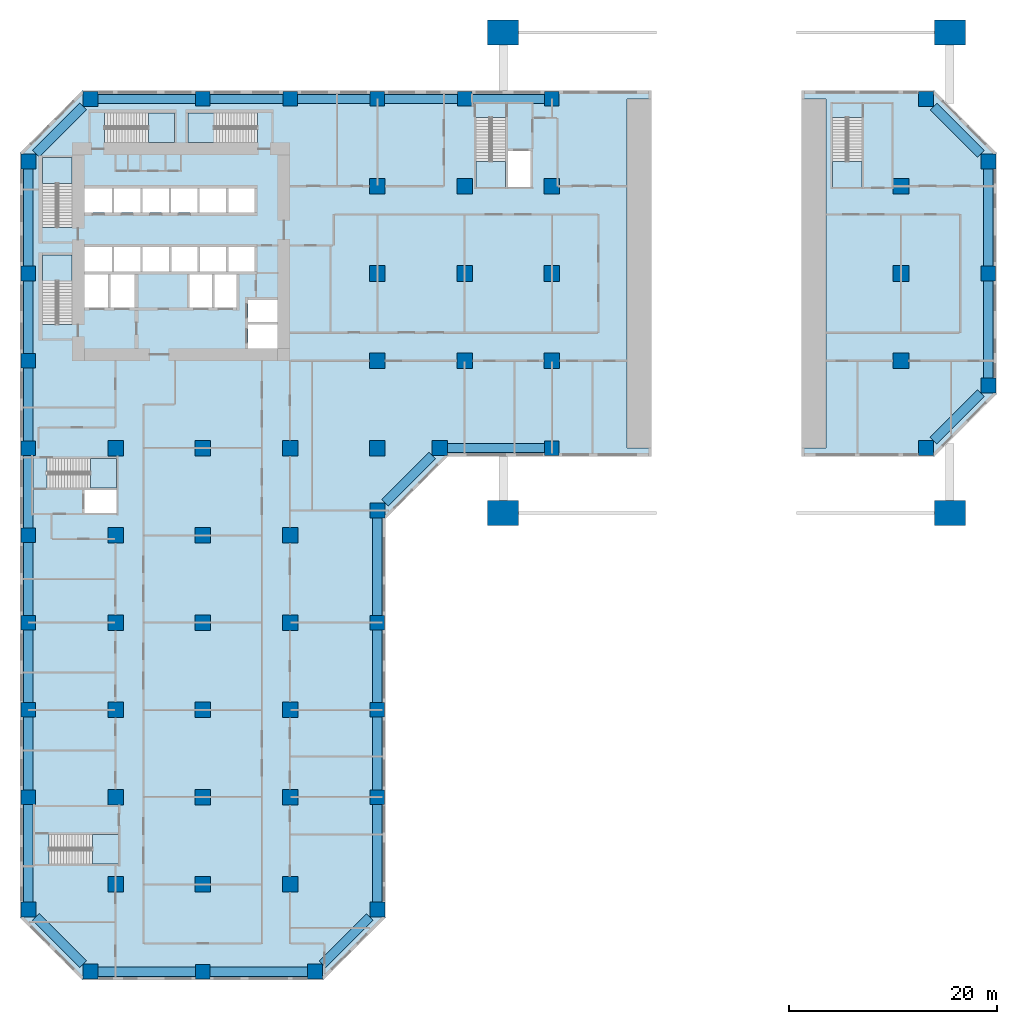
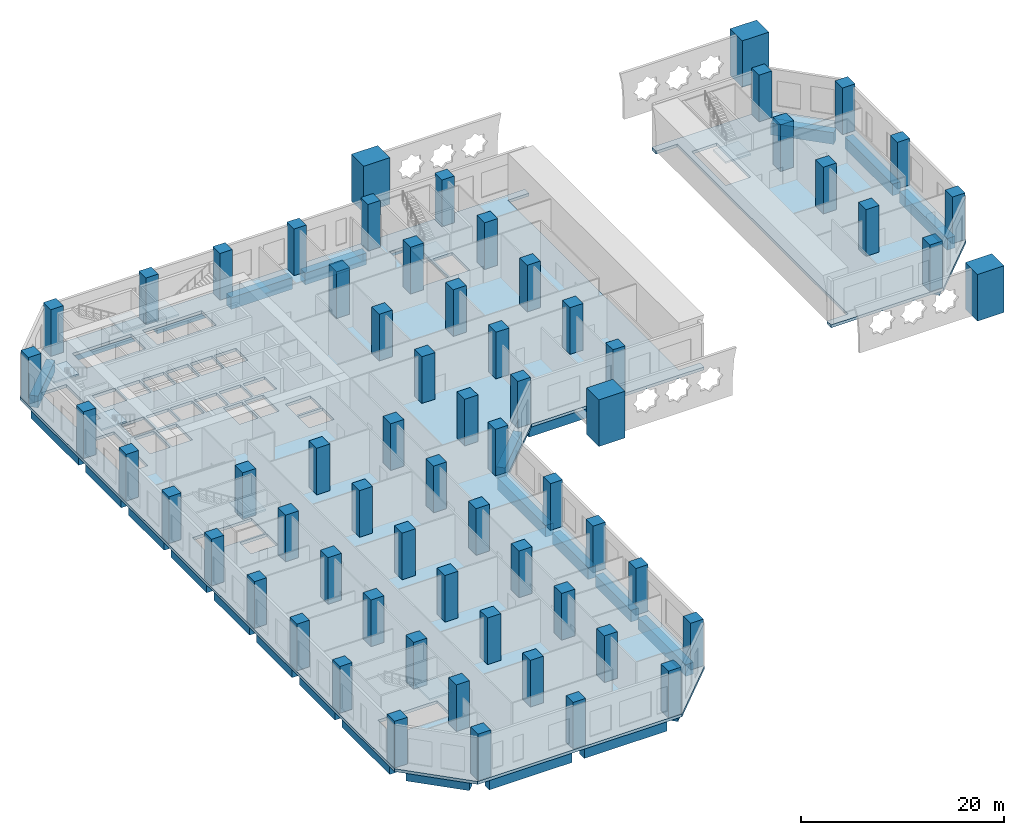
# One storey, part 1 of 17: 65 columns, 28 beams, 10 slabs, 8 elements without a shape of their own.
"""IFC4 building model written with IfcOpenShell, lengths in metres."""

from ifc_helpers import new_model, si_unit, direction, frame, origin, origin_2d, place, context, subcontext, project, spatial, polyline, rectangle, outline, extrude, material, layer, layer_set, material_profile, profile_set, type_object, element, aggregate, save


model = new_model("IFC4")

# Units and contexts
model_context = context("Model", 3, precision=1e-05, world=origin(), true_north=direction((0.0, 1.0)))
body_context = subcontext(model_context, "Body", "Model", "MODEL_VIEW")
ifc_project = project(units=[si_unit("LENGTHUNIT", "METRE"), si_unit("AREAUNIT", "SQUARE_METRE"), si_unit("VOLUMEUNIT", "CUBIC_METRE"), si_unit("PLANEANGLEUNIT", "RADIAN"), si_unit("MASSUNIT", "GRAM", prefix="KILO")], contexts=[model_context])

# Site, building, storey
site_placement = place(None, origin())
site = spatial("IfcSite", under=ifc_project, at=site_placement, CompositionType="ELEMENT")
building_placement = place(site_placement, origin())
building = spatial("IfcBuilding", under=site, at=building_placement, Name="Kawkab Arch Medical Tower", CompositionType="ELEMENT")
storey_placement = place(building_placement, frame((0.0, 0.0, 7.0)))
storey = spatial("IfcBuildingStorey", under=building, at=storey_placement, Name="L02", CompositionType="ELEMENT", Elevation=7.0)

# Columns
ifc_material_1 = material(Name="Concrete C60/75", Category="concrete")
ifc_material_profile_1 = material_profile(ifc_material_1, rectangle(XDim=1.39990234375, YDim=1.39990234375, at=origin_2d()), Name="RC 1400x1400")
ifc_profile_set_1 = profile_set([ifc_material_profile_1], Name="Concrete C60/75")
column_type_1 = type_object("IfcColumnType", Name="RC 1400x1400 column C60/75", PredefinedType="COLUMN", material=ifc_profile_set_1)
for number, where, z_axis, x_axis, name in (
    (1, (16.800048828125, 0.0, 0.0), (0.0, 0.0, 1.0), (1.0, 0.0, 0.0), "Column RC 1400x1400"),
    (2, (25.199951171875, 0.0, 0.0), (0.0, 0.0, 1.0), (1.0, 0.0, 0.0), "Column RC 1400x1400"),
    (3, (33.60009765625, 0.0, 0.0), (0.0, 0.0, 1.0), (1.0, 0.0, 0.0), "Column RC 1400x1400"),
    (4, (42.0, 0.0, 0.0), (0.0, 0.0, 1.0), (1.0, 0.0, 0.0), "Column RC 1400x1400"),
    (5, (50.39990234375, 0.0, 0.0), (0.0, 0.0, 1.0), (1.0, 0.0, 0.0), "Column RC 1400x1400"),
    (6, (0.0, -16.800048828125, 0.0), (0.0, 0.0, 1.0), (1.0, 0.0, 0.0), "Column RC 1400x1400"),
    (7, (92.39990234375, -16.800048828125, 0.0), (0.0, 0.0, 1.0), (1.0, 0.0, 0.0), "Column RC 1400x1400"),
    (8, (0.0, -25.199951171875, 0.0), (0.0, 0.0, 1.0), (1.0, 0.0, 0.0), "Column RC 1400x1400"),
    (9, (0.0, -33.60009765625, 0.0), (0.0, 0.0, 1.0), (1.0, 0.0, 0.0), "Column RC 1400x1400"),
    (10, (50.39990234375, -33.60009765625, 0.0), (0.0, 0.0, 1.0), (1.0, 0.0, 0.0), "Column RC 1400x1400"),
    (11, (0.0, -42.0, 0.0), (0.0, 0.0, 1.0), (1.0, 0.0, 0.0), "Column RC 1400x1400"),
    (12, (0.0, -50.39990234375, 0.0), (0.0, 0.0, 1.0), (1.0, 0.0, 0.0), "Column RC 1400x1400"),
    (13, (33.60009765625, -50.39990234375, 0.0), (0.0, 0.0, 1.0), (1.0, 0.0, 0.0), "Column RC 1400x1400"),
    (14, (0.0, -58.800048828125, 0.0), (0.0, 0.0, 1.0), (1.0, 0.0, 0.0), "Column RC 1400x1400"),
    (15, (33.60009765625, -58.800048828125, 0.0), (0.0, 0.0, 1.0), (1.0, 0.0, 0.0), "Column RC 1400x1400"),
    (16, (0.0, -67.199951171875, 0.0), (0.0, 0.0, 1.0), (1.0, 0.0, 0.0), "Column RC 1400x1400"),
    (17, (33.60009765625, -67.199951171875, 0.0), (0.0, 0.0, 1.0), (1.0, 0.0, 0.0), "Column RC 1400x1400"),
    (18, (16.800048828125, -84.0, 0.0), (0.0, 0.0, 1.0), (1.0, 0.0, 0.0), "Column RC 1400x1400"),
):
    element("IfcColumn", number, at=place(storey_placement, frame(where, z_axis=z_axis, x_axis=x_axis)), inside=storey, type_object=column_type_1, Name=name, PredefinedType="COLUMN", context=body_context, shape_type="SweptSolid", body=[
        extrude(rectangle(XDim=1.39990234375, YDim=1.39990234375, at=origin_2d()), origin(), (0.0, 0.0, 1.0), 5.60009765625),
    ])
ifc_material_2 = material(Name="Concrete C60/75", Category="concrete")
ifc_material_profile_2 = material_profile(ifc_material_2, rectangle(XDim=1.449951171875, YDim=1.449951171875, at=origin_2d()), Name="RC 1450x1450")
ifc_profile_set_2 = profile_set([ifc_material_profile_2], Name="Concrete C60/75")
column_type_2 = type_object("IfcColumnType", Name="RC 1450x1450 column C60/75", PredefinedType="COLUMN", material=ifc_profile_set_2)
for number, where, z_axis, x_axis, name in (
    (19, (6.0, 0.0, 0.0), (0.0, 0.0, 1.0), (1.0, 0.0, 0.0), "Column RC 1450x1450"),
    (20, (86.39990234375, 0.0, 0.0), (0.0, 0.0, 1.0), (1.0, 0.0, 0.0), "Column RC 1450x1450"),
    (21, (0.0, -6.0, 0.0), (0.0, 0.0, 1.0), (1.0, 0.0, 0.0), "Column RC 1450x1450"),
    (22, (92.39990234375, -6.0, 0.0), (0.0, 0.0, 1.0), (1.0, 0.0, 0.0), "Column RC 1450x1450"),
    (23, (92.39990234375, -27.60009765625, 0.0), (0.0, 0.0, 1.0), (1.0, 0.0, 0.0), "Column RC 1450x1450"),
    (24, (39.60009765625, -33.60009765625, 0.0), (0.0, 0.0, 1.0), (1.0, 0.0, 0.0), "Column RC 1450x1450"),
    (25, (86.39990234375, -33.60009765625, 0.0), (0.0, 0.0, 1.0), (1.0, 0.0, 0.0), "Column RC 1450x1450"),
    (26, (33.60009765625, -39.60009765625, 0.0), (0.0, 0.0, 1.0), (1.0, 0.0, 0.0), "Column RC 1450x1450"),
    (27, (0.0, -78.0, 0.0), (0.0, 0.0, 1.0), (1.0, 0.0, 0.0), "Column RC 1450x1450"),
    (28, (33.60009765625, -78.0, 0.0), (0.0, 0.0, 1.0), (1.0, 0.0, 0.0), "Column RC 1450x1450"),
    (29, (6.0, -84.0, 0.0), (0.0, 0.0, 1.0), (1.0, 0.0, 0.0), "Column RC 1450x1450"),
    (30, (27.60009765625, -84.0, 0.0), (0.0, 0.0, 1.0), (1.0, 0.0, 0.0), "Column RC 1450x1450"),
):
    element("IfcColumn", number, at=place(storey_placement, frame(where, z_axis=z_axis, x_axis=x_axis)), inside=storey, type_object=column_type_2, Name=name, PredefinedType="COLUMN", context=body_context, shape_type="SweptSolid", body=[
        extrude(rectangle(XDim=1.449951171875, YDim=1.449951171875, at=origin_2d()), origin(), (0.0, 0.0, 1.0), 5.60009765625),
    ])
ifc_material_3 = material(Name="Concrete C60/75", Category="concrete")
ifc_material_profile_3 = material_profile(ifc_material_3, rectangle(XDim=1.5, YDim=1.5, at=origin_2d()), Name="RC 1500x1500")
ifc_profile_set_3 = profile_set([ifc_material_profile_3], Name="Concrete C60/75")
column_type_3 = type_object("IfcColumnType", Name="RC 1500x1500 column C60/75", PredefinedType="COLUMN", material=ifc_profile_set_3)
for number, where, z_axis, x_axis, name in (
    (31, (33.60009765625, -8.39990234375, 0.0), (0.0, 0.0, 1.0), (1.0, 0.0, 0.0), "Column RC 1500x1500"),
    (32, (42.0, -8.39990234375, 0.0), (0.0, 0.0, 1.0), (1.0, 0.0, 0.0), "Column RC 1500x1500"),
    (33, (50.39990234375, -8.39990234375, 0.0), (0.0, 0.0, 1.0), (1.0, 0.0, 0.0), "Column RC 1500x1500"),
    (34, (84.0, -8.39990234375, 0.0), (0.0, 0.0, 1.0), (1.0, 0.0, 0.0), "Column RC 1500x1500"),
    (35, (33.60009765625, -16.800048828125, 0.0), (0.0, 0.0, 1.0), (1.0, 0.0, 0.0), "Column RC 1500x1500"),
    (36, (42.0, -16.800048828125, 0.0), (0.0, 0.0, 1.0), (1.0, 0.0, 0.0), "Column RC 1500x1500"),
    (37, (50.39990234375, -16.800048828125, 0.0), (0.0, 0.0, 1.0), (1.0, 0.0, 0.0), "Column RC 1500x1500"),
    (38, (84.0, -16.800048828125, 0.0), (0.0, 0.0, 1.0), (1.0, 0.0, 0.0), "Column RC 1500x1500"),
    (39, (33.60009765625, -25.199951171875, 0.0), (0.0, 0.0, 1.0), (1.0, 0.0, 0.0), "Column RC 1500x1500"),
    (40, (42.0, -25.199951171875, 0.0), (0.0, 0.0, 1.0), (1.0, 0.0, 0.0), "Column RC 1500x1500"),
    (41, (50.39990234375, -25.199951171875, 0.0), (0.0, 0.0, 1.0), (1.0, 0.0, 0.0), "Column RC 1500x1500"),
    (42, (84.0, -25.199951171875, 0.0), (0.0, 0.0, 1.0), (1.0, 0.0, 0.0), "Column RC 1500x1500"),
    (43, (8.39990234375, -33.60009765625, 0.0), (0.0, 0.0, 1.0), (1.0, 0.0, 0.0), "Column RC 1500x1500"),
    (44, (16.800048828125, -33.60009765625, 0.0), (0.0, 0.0, 1.0), (1.0, 0.0, 0.0), "Column RC 1500x1500"),
    (45, (25.199951171875, -33.60009765625, 0.0), (0.0, 0.0, 1.0), (1.0, 0.0, 0.0), "Column RC 1500x1500"),
    (46, (33.60009765625, -33.60009765625, 0.0), (0.0, 0.0, 1.0), (1.0, 0.0, 0.0), "Column RC 1500x1500"),
    (47, (8.39990234375, -42.0, 0.0), (0.0, 0.0, 1.0), (1.0, 0.0, 0.0), "Column RC 1500x1500"),
    (48, (16.800048828125, -42.0, 0.0), (0.0, 0.0, 1.0), (1.0, 0.0, 0.0), "Column RC 1500x1500"),
    (49, (25.199951171875, -42.0, 0.0), (0.0, 0.0, 1.0), (1.0, 0.0, 0.0), "Column RC 1500x1500"),
    (50, (8.39990234375, -50.39990234375, 0.0), (0.0, 0.0, 1.0), (1.0, 0.0, 0.0), "Column RC 1500x1500"),
    (51, (16.800048828125, -50.39990234375, 0.0), (0.0, 0.0, 1.0), (1.0, 0.0, 0.0), "Column RC 1500x1500"),
    (52, (25.199951171875, -50.39990234375, 0.0), (0.0, 0.0, 1.0), (1.0, 0.0, 0.0), "Column RC 1500x1500"),
    (53, (8.39990234375, -58.800048828125, 0.0), (0.0, 0.0, 1.0), (1.0, 0.0, 0.0), "Column RC 1500x1500"),
    (54, (16.800048828125, -58.800048828125, 0.0), (0.0, 0.0, 1.0), (1.0, 0.0, 0.0), "Column RC 1500x1500"),
    (55, (25.199951171875, -58.800048828125, 0.0), (0.0, 0.0, 1.0), (1.0, 0.0, 0.0), "Column RC 1500x1500"),
    (56, (8.39990234375, -67.199951171875, 0.0), (0.0, 0.0, 1.0), (1.0, 0.0, 0.0), "Column RC 1500x1500"),
    (57, (16.800048828125, -67.199951171875, 0.0), (0.0, 0.0, 1.0), (1.0, 0.0, 0.0), "Column RC 1500x1500"),
    (58, (25.199951171875, -67.199951171875, 0.0), (0.0, 0.0, 1.0), (1.0, 0.0, 0.0), "Column RC 1500x1500"),
    (59, (8.39990234375, -75.60009765625, 0.0), (0.0, 0.0, 1.0), (1.0, 0.0, 0.0), "Column RC 1500x1500"),
    (60, (16.800048828125, -75.60009765625, 0.0), (0.0, 0.0, 1.0), (1.0, 0.0, 0.0), "Column RC 1500x1500"),
    (61, (25.199951171875, -75.60009765625, 0.0), (0.0, 0.0, 1.0), (1.0, 0.0, 0.0), "Column RC 1500x1500"),
):
    element("IfcColumn", number, at=place(storey_placement, frame(where, z_axis=z_axis, x_axis=x_axis)), inside=storey, type_object=column_type_3, Name=name, PredefinedType="COLUMN", context=body_context, shape_type="SweptSolid", body=[
        extrude(rectangle(XDim=1.5, YDim=1.5, at=origin_2d()), origin(), (0.0, 0.0, 1.0), 5.60009765625),
    ])
ifc_material_4 = material(Name="Concrete C60/75", Category="concrete")
ifc_material_profile_4 = material_profile(ifc_material_4, rectangle(XDim=3.0, YDim=2.39990234375, at=origin_2d()), Name="RC 3000x2400")
ifc_profile_set_4 = profile_set([ifc_material_profile_4], Name="Concrete C60/75")
column_type_4 = type_object("IfcColumnType", Name="RC 3000x2400 column C60/75", PredefinedType="COLUMN", material=ifc_profile_set_4)
for number, where, z_axis, x_axis, name in (
    (62, (45.699951171875, -39.85009765625, 0.0), (0.0, 0.0, 1.0), (1.0, 0.0, 0.0), "Portal arch leg"),
    (63, (88.699951171875, -39.85009765625, 0.0), (0.0, 0.0, 1.0), (1.0, 0.0, 0.0), "Portal arch leg"),
    (64, (45.699951171875, 6.39990234375, 0.0), (0.0, 0.0, 1.0), (1.0, 0.0, 0.0), "Portal arch leg"),
    (65, (88.699951171875, 6.39990234375, 0.0), (0.0, 0.0, 1.0), (1.0, 0.0, 0.0), "Portal arch leg"),
):
    element("IfcColumn", number, at=place(storey_placement, frame(where, z_axis=z_axis, x_axis=x_axis)), inside=storey, type_object=column_type_4, Name=name, PredefinedType="COLUMN", context=body_context, shape_type="SweptSolid", body=[
        extrude(rectangle(XDim=3.0, YDim=2.39990234375, at=origin_2d()), origin(), (0.0, 0.0, 1.0), 5.60009765625),
    ])

# Beams
ifc_material_5 = material(Name="Concrete C60/75", Category="concrete")
ifc_material_profile_5 = material_profile(ifc_material_5, rectangle(XDim=0.89990234375, YDim=1.39990234375, at=origin_2d()), Name="RC 900x1400")
ifc_profile_set_5 = profile_set([ifc_material_profile_5], Name="Concrete C60/75")
beam_type = type_object("IfcBeamType", Name="RC 900x1400 beam C60/75", PredefinedType="BEAM", material=ifc_profile_set_5)
beam_1_placement = place(storey_placement, frame((0.0, -6.72509765625, -1.050048828125), z_axis=(0.0, -1.0, 0.0), x_axis=(1.0, 0.0, 0.0)))
element("IfcBeam", 66, at=beam_1_placement, inside=storey, type_object=beam_type, Name="Podium edge beam L02-01", PredefinedType="BEAM", context=body_context, shape_type="SweptSolid", body=[
    extrude(rectangle(XDim=0.89990234375, YDim=1.39990234375, at=origin_2d()), origin(), (0.0, 0.0, 1.0), 9.375),
])
for number, where, z_axis, x_axis, name in (
    (67, (0.0, -17.5, -1.050048828125), (0.0, -1.0, 0.0), (1.0, 0.0, 0.0), "Podium edge beam L02-02"),
    (68, (0.0, -25.89990234375, -1.050048828125), (0.0, -1.0, 0.0), (1.0, 0.0, 0.0), "Podium edge beam L02-03"),
    (69, (0.0, -34.300048828125, -1.050048828125), (0.0, -1.0, 0.0), (1.0, 0.0, 0.0), "Podium edge beam L02-04"),
    (70, (0.0, -42.699951171875, -1.050048828125), (0.0, -1.0, 0.0), (1.0, 0.0, 0.0), "Podium edge beam L02-05"),
    (71, (0.0, -51.10009765625, -1.050048828125), (0.0, -1.0, 0.0), (1.0, 0.0, 0.0), "Podium edge beam L02-06"),
    (72, (0.0, -59.5, -1.050048828125), (0.0, -1.0, 0.0), (1.0, 0.0, 0.0), "Podium edge beam L02-07"),
):
    element("IfcBeam", number, at=place(storey_placement, frame(where, z_axis=z_axis, x_axis=x_axis)), inside=storey, type_object=beam_type, Name=name, PredefinedType="BEAM", context=body_context, shape_type="SweptSolid", body=[
        extrude(rectangle(XDim=0.89990234375, YDim=1.39990234375, at=origin_2d()), origin(), (0.0, 0.0, 1.0), 7.0),
    ])
beam_2_placement = place(storey_placement, frame((0.0, -67.89990234375, -1.050048828125), z_axis=(0.0, -1.0, 0.0), x_axis=(1.0, 0.0, 0.0)))
element("IfcBeam", 73, at=beam_2_placement, inside=storey, type_object=beam_type, Name="Podium edge beam L02-08", PredefinedType="BEAM", context=body_context, shape_type="SweptSolid", body=[
    extrude(rectangle(XDim=0.89990234375, YDim=1.39990234375, at=origin_2d()), origin(), (0.0, 0.0, 1.0), 9.375),
])
beam_3_placement = place(storey_placement, frame((0.72509765625, -78.72509765625, -1.050048828125), z_axis=(0.707106781187, -0.707106781187, 0.0), x_axis=(0.707106781187, 0.707106781187, 0.0)))
element("IfcBeam", 74, at=beam_3_placement, inside=storey, type_object=beam_type, Name="Podium edge beam L02-09", PredefinedType="BEAM", context=body_context, shape_type="SweptSolid", body=[
    extrude(rectangle(XDim=0.89990234375, YDim=1.39990234375, at=origin_2d()), origin(), (0.0, 0.0, 1.0), 6.434326171875),
])
for number, where, z_axis, x_axis, name in (
    (75, (6.72509765625, -84.0, -1.050048828125), (1.0, 0.0, 0.0), (0.0, 1.0, 0.0), "Podium edge beam L02-10"),
    (76, (17.5, -84.0, -1.050048828125), (1.0, 0.0, 0.0), (0.0, 1.0, 0.0), "Podium edge beam L02-11"),
):
    element("IfcBeam", number, at=place(storey_placement, frame(where, z_axis=z_axis, x_axis=x_axis)), inside=storey, type_object=beam_type, Name=name, PredefinedType="BEAM", context=body_context, shape_type="SweptSolid", body=[
        extrude(rectangle(XDim=0.89990234375, YDim=1.39990234375, at=origin_2d()), origin(), (0.0, 0.0, 1.0), 9.375),
    ])
beam_4_placement = place(storey_placement, frame((28.324951171875, -83.27490234375, -1.050048828125), z_axis=(0.707125751951, 0.707087809913, 0.0), x_axis=(-0.707087809913, 0.707125751951, 0.0)))
element("IfcBeam", 77, at=beam_4_placement, inside=storey, type_object=beam_type, Name="Podium edge beam L02-12", PredefinedType="BEAM", context=body_context, shape_type="SweptSolid", body=[
    extrude(rectangle(XDim=0.89990234375, YDim=1.39990234375, at=origin_2d()), origin(), (0.0, 0.0, 1.0), 6.4345703125),
])
beam_5_placement = place(storey_placement, frame((33.60009765625, -77.27490234375, -1.050048828125), z_axis=(0.0, 1.0, 0.0), x_axis=(-1.0, 0.0, 0.0)))
element("IfcBeam", 78, at=beam_5_placement, inside=storey, type_object=beam_type, Name="Podium edge beam L02-13", PredefinedType="BEAM", context=body_context, shape_type="SweptSolid", body=[
    extrude(rectangle(XDim=0.89990234375, YDim=1.39990234375, at=origin_2d()), origin(), (0.0, 0.0, 1.0), 9.375),
])
for number, where, z_axis, x_axis, name in (
    (79, (33.60009765625, -66.5, -1.050048828125), (0.0, 1.0, 0.0), (-1.0, 0.0, 0.0), "Podium edge beam L02-14"),
    (80, (33.60009765625, -58.10009765625, -1.050048828125), (0.0, 1.0, 0.0), (-1.0, 0.0, 0.0), "Podium edge beam L02-15"),
):
    element("IfcBeam", number, at=place(storey_placement, frame(where, z_axis=z_axis, x_axis=x_axis)), inside=storey, type_object=beam_type, Name=name, PredefinedType="BEAM", context=body_context, shape_type="SweptSolid", body=[
        extrude(rectangle(XDim=0.89990234375, YDim=1.39990234375, at=origin_2d()), origin(), (0.0, 0.0, 1.0), 7.0),
    ])
beam_6_placement = place(storey_placement, frame((33.60009765625, -49.699951171875, -1.050048828125), z_axis=(0.0, 1.0, 0.0), x_axis=(-1.0, 0.0, 0.0)))
element("IfcBeam", 81, at=beam_6_placement, inside=storey, type_object=beam_type, Name="Podium edge beam L02-16", PredefinedType="BEAM", context=body_context, shape_type="SweptSolid", body=[
    extrude(rectangle(XDim=0.89990234375, YDim=1.39990234375, at=origin_2d()), origin(), (0.0, 0.0, 1.0), 9.375),
])
beam_7_placement = place(storey_placement, frame((34.324951171875, -38.875, -1.050048828125), z_axis=(0.707106781187, 0.707106781187, 0.0), x_axis=(-0.707106781187, 0.707106781187, 0.0)))
element("IfcBeam", 82, at=beam_7_placement, inside=storey, type_object=beam_type, Name="Podium edge beam L02-17", PredefinedType="BEAM", context=body_context, shape_type="SweptSolid", body=[
    extrude(rectangle(XDim=0.89990234375, YDim=1.39990234375, at=origin_2d()), origin(), (0.0, 0.0, 1.0), 6.434814453125),
])
beam_8_placement = place(storey_placement, frame((40.324951171875, -33.60009765625, -1.050048828125), z_axis=(1.0, 0.0, 0.0), x_axis=(0.0, 1.0, 0.0)))
element("IfcBeam", 83, at=beam_8_placement, inside=storey, type_object=beam_type, Name="Podium edge beam L02-18", PredefinedType="BEAM", context=body_context, shape_type="SweptSolid", body=[
    extrude(rectangle(XDim=0.89990234375, YDim=1.39990234375, at=origin_2d()), origin(), (0.0, 0.0, 1.0), 9.375),
])
beam_9_placement = place(storey_placement, frame((87.125, -32.875, -1.050048828125), z_axis=(0.707106781187, 0.707106781187, 0.0), x_axis=(-0.707106781187, 0.707106781187, 0.0)))
element("IfcBeam", 84, at=beam_9_placement, inside=storey, type_object=beam_type, Name="Podium edge beam L02-19", PredefinedType="BEAM", context=body_context, shape_type="SweptSolid", body=[
    extrude(rectangle(XDim=0.89990234375, YDim=1.39990234375, at=origin_2d()), origin(), (0.0, 0.0, 1.0), 6.434814453125),
])
for number, where, z_axis, x_axis, name in (
    (85, (92.39990234375, -26.875, -1.050048828125), (0.0, 1.0, 0.0), (-1.0, 0.0, 0.0), "Podium edge beam L02-20"),
    (86, (92.39990234375, -16.10009765625, -1.050048828125), (0.0, 1.0, 0.0), (-1.0, 0.0, 0.0), "Podium edge beam L02-21"),
):
    element("IfcBeam", number, at=place(storey_placement, frame(where, z_axis=z_axis, x_axis=x_axis)), inside=storey, type_object=beam_type, Name=name, PredefinedType="BEAM", context=body_context, shape_type="SweptSolid", body=[
        extrude(rectangle(XDim=0.89990234375, YDim=1.39990234375, at=origin_2d()), origin(), (0.0, 0.0, 1.0), 9.375),
    ])
beam_10_placement = place(storey_placement, frame((91.675048828125, -5.27490234375, -1.050048828125), z_axis=(-0.707125751951, 0.707087809913, 0.0), x_axis=(-0.707087809913, -0.707125751951, 0.0)))
element("IfcBeam", 87, at=beam_10_placement, inside=storey, type_object=beam_type, Name="Podium edge beam L02-22", PredefinedType="BEAM", context=body_context, shape_type="SweptSolid", body=[
    extrude(rectangle(XDim=0.89990234375, YDim=1.39990234375, at=origin_2d()), origin(), (0.0, 0.0, 1.0), 6.4345703125),
])
for number, where, z_axis, x_axis, name in (
    (88, (49.699951171875, 0.0, -1.050048828125), (-1.0, 0.0, 0.0), (0.0, -1.0, 0.0), "Podium edge beam L02-23"),
    (89, (41.300048828125, 0.0, -1.050048828125), (-1.0, 0.0, 0.0), (0.0, -1.0, 0.0), "Podium edge beam L02-24"),
    (90, (32.89990234375, 0.0, -1.050048828125), (-1.0, 0.0, 0.0), (0.0, -1.0, 0.0), "Podium edge beam L02-25"),
    (91, (24.5, 0.0, -1.050048828125), (-1.0, 0.0, 0.0), (0.0, -1.0, 0.0), "Podium edge beam L02-26"),
):
    element("IfcBeam", number, at=place(storey_placement, frame(where, z_axis=z_axis, x_axis=x_axis)), inside=storey, type_object=beam_type, Name=name, PredefinedType="BEAM", context=body_context, shape_type="SweptSolid", body=[
        extrude(rectangle(XDim=0.89990234375, YDim=1.39990234375, at=origin_2d()), origin(), (0.0, 0.0, 1.0), 7.0),
    ])
beam_11_placement = place(storey_placement, frame((16.10009765625, 0.0, -1.050048828125), z_axis=(-1.0, 0.0, 0.0), x_axis=(0.0, -1.0, 0.0)))
element("IfcBeam", 92, at=beam_11_placement, inside=storey, type_object=beam_type, Name="Podium edge beam L02-27", PredefinedType="BEAM", context=body_context, shape_type="SweptSolid", body=[
    extrude(rectangle(XDim=0.89990234375, YDim=1.39990234375, at=origin_2d()), origin(), (0.0, 0.0, 1.0), 9.375),
])
beam_12_placement = place(storey_placement, frame((5.27490234375, -0.72509765625, -1.050048828125), z_axis=(-0.707106781187, -0.707106781187, 0.0), x_axis=(0.707106781187, -0.707106781187, 0.0)))
element("IfcBeam", 93, at=beam_12_placement, inside=storey, type_object=beam_type, Name="Podium edge beam L02-28", PredefinedType="BEAM", context=body_context, shape_type="SweptSolid", body=[
    extrude(rectangle(XDim=0.89990234375, YDim=1.39990234375, at=origin_2d()), origin(), (0.0, 0.0, 1.0), 6.434326171875),
])

# Stair, slab
ifc_material_6 = material(Name="Concrete C40/50", Category="concrete")
stair_type = type_object("IfcStairType", Name="Exit stair 1350", PredefinedType="HALF_TURN_STAIR", material=ifc_material_6)
placement_1 = place(storey_placement, origin())
stair_1 = element("IfcStair", 94, at=placement_1, inside=storey, type_object=stair_type, Name="L02 Exit stair ST1", PredefinedType="HALF_TURN_STAIR")
ifc_material_7 = material(Name="Concrete C40/50", Category="concrete")
ifc_layer_1 = layer(ifc_material_7, 0.199951171875)
ifc_layer_set_1 = layer_set([ifc_layer_1], Name="Concrete C40/50")
slab_type_1 = type_object("IfcSlabType", Name="Exit stair landing 200", PredefinedType="LANDING", material=ifc_layer_set_1)
placement_2 = place(storey_placement, frame((0.0, 0.0, 2.60009765625)))
slab_1 = element("IfcSlab", 95, at=placement_2, type_object=slab_type_1, Name="ST1 landing 1", PredefinedType="LANDING", context=body_context, shape_type="SweptSolid", body=[
    extrude(outline(polyline([(4.199951171875, -8.14990234375), (4.199951171875, -5.64990234375), (1.35009765625, -5.64990234375), (1.35009765625, -8.14990234375), (4.199951171875, -8.14990234375)])), origin(), (0.0, 0.0, 1.0), 0.199951171875),
])
aggregate(stair_1, [slab_1])

stair_2 = element("IfcStair", 96, at=placement_1, inside=storey, type_object=stair_type, Name="L02 Exit stair ST10", PredefinedType="HALF_TURN_STAIR")
slab_2 = element("IfcSlab", 97, at=placement_2, type_object=slab_type_1, Name="ST10 landing 1", PredefinedType="LANDING", context=body_context, shape_type="SweptSolid", body=[
    extrude(outline(polyline([(6.175048828125, -73.64990234375), (8.675048828125, -73.64990234375), (8.675048828125, -70.800048828125), (6.175048828125, -70.800048828125), (6.175048828125, -73.64990234375)])), origin(), (0.0, 0.0, 1.0), 0.199951171875),
])
aggregate(stair_2, [slab_2])

stair_3 = element("IfcStair", 98, at=placement_1, inside=storey, type_object=stair_type, Name="L02 Exit stair ST2", PredefinedType="HALF_TURN_STAIR")
slab_3 = element("IfcSlab", 99, at=placement_2, type_object=slab_type_1, Name="ST2 landing 1", PredefinedType="LANDING", context=body_context, shape_type="SweptSolid", body=[
    extrude(outline(polyline([(4.199951171875, -17.5), (4.199951171875, -15.0), (1.35009765625, -15.0), (1.35009765625, -17.5), (4.199951171875, -17.5)])), origin(), (0.0, 0.0, 1.0), 0.199951171875),
])
aggregate(stair_3, [slab_3])

stair_4 = element("IfcStair", 100, at=placement_1, inside=storey, type_object=stair_type, Name="L02 Exit stair ST3", PredefinedType="HALF_TURN_STAIR")
slab_4 = element("IfcSlab", 101, at=placement_2, type_object=slab_type_1, Name="ST3 landing 1", PredefinedType="LANDING", context=body_context, shape_type="SweptSolid", body=[
    extrude(outline(polyline([(11.550048828125, -4.199951171875), (14.050048828125, -4.199951171875), (14.050048828125, -1.35009765625), (11.550048828125, -1.35009765625), (11.550048828125, -4.199951171875)])), origin(), (0.0, 0.0, 1.0), 0.199951171875),
])
aggregate(stair_4, [slab_4])

stair_5 = element("IfcStair", 102, at=placement_1, inside=storey, type_object=stair_type, Name="L02 Exit stair ST4", PredefinedType="HALF_TURN_STAIR")
slab_5 = element("IfcSlab", 103, at=placement_2, type_object=slab_type_1, Name="ST4 landing 1", PredefinedType="LANDING", context=body_context, shape_type="SweptSolid", body=[
    extrude(outline(polyline([(17.85009765625, -1.35009765625), (15.35009765625, -1.35009765625), (15.35009765625, -4.199951171875), (17.85009765625, -4.199951171875), (17.85009765625, -1.35009765625)])), origin(), (0.0, 0.0, 1.0), 0.199951171875),
])
aggregate(stair_5, [slab_5])

stair_6 = element("IfcStair", 104, at=placement_1, inside=storey, type_object=stair_type, Name="L02 Exit stair ST5", PredefinedType="HALF_TURN_STAIR")
slab_6 = element("IfcSlab", 105, at=placement_2, type_object=slab_type_1, Name="ST5 landing 1", PredefinedType="LANDING", context=body_context, shape_type="SweptSolid", body=[
    extrude(outline(polyline([(43.10009765625, -6.0), (43.10009765625, -8.5), (45.949951171875, -8.5), (45.949951171875, -6.0), (43.10009765625, -6.0)])), origin(), (0.0, 0.0, 1.0), 0.199951171875),
])
aggregate(stair_6, [slab_6])

stair_7 = element("IfcStair", 106, at=placement_1, inside=storey, type_object=stair_type, Name="L02 Exit stair ST6", PredefinedType="HALF_TURN_STAIR")
slab_7 = element("IfcSlab", 107, at=placement_2, type_object=slab_type_1, Name="ST6 landing 1", PredefinedType="LANDING", context=body_context, shape_type="SweptSolid", body=[
    extrude(outline(polyline([(6.0, -37.449951171875), (8.5, -37.449951171875), (8.5, -34.60009765625), (6.0, -34.60009765625), (6.0, -37.449951171875)])), origin(), (0.0, 0.0, 1.0), 0.199951171875),
])
aggregate(stair_7, [slab_7])

stair_8 = element("IfcStair", 108, at=placement_1, inside=storey, type_object=stair_type, Name="L02 Exit stair ST7", PredefinedType="HALF_TURN_STAIR")
slab_8 = element("IfcSlab", 109, at=placement_2, type_object=slab_type_1, Name="ST7 landing 1", PredefinedType="LANDING", context=body_context, shape_type="SweptSolid", body=[
    extrude(outline(polyline([(77.39990234375, -6.0), (77.39990234375, -8.5), (80.25, -8.5), (80.25, -6.0), (77.39990234375, -6.0)])), origin(), (0.0, 0.0, 1.0), 0.199951171875),
])
aggregate(stair_8, [slab_8])

# Slabs
ifc_material_8 = material(Name="Concrete C40/50", Category="concrete")
ifc_layer_2 = layer(ifc_material_8, 0.35009765625)
ifc_layer_set_2 = layer_set([ifc_layer_2], Name="Concrete C40/50")
slab_type_2 = type_object("IfcSlabType", Name="Flat plate 350 C40/50", PredefinedType="FLOOR", material=ifc_layer_set_2)
placement_3 = place(storey_placement, frame((0.0, 0.0, -0.35009765625)))
element("IfcSlab", 110, at=placement_3, inside=storey, type_object=slab_type_2, Name="Floor slab L02", PredefinedType="FLOOR", context=body_context, shape_type="SweptSolid", body=[
    extrude(outline(polyline([(28.39990234375, -84.800048828125), (5.199951171875, -84.800048828125), (-0.800048828125, -78.800048828125), (-0.800048828125, -5.199951171875), (5.199951171875, 0.800048828125), (60.0, 0.800048828125), (60.0, 0.0), (57.60009765625, 0.0), (57.60009765625, -33.60009765625), (60.0, -33.60009765625), (60.0, -34.39990234375), (40.39990234375, -34.39990234375), (34.39990234375, -40.39990234375), (34.39990234375, -78.800048828125), (28.39990234375, -84.800048828125)]), holes=[polyline([(8.675048828125, -70.800048828125), (1.97509765625, -70.800048828125), (1.97509765625, -73.64990234375), (8.675048828125, -73.64990234375), (8.675048828125, -70.800048828125)]), polyline([(5.425048828125, -37.64990234375), (5.425048828125, -39.85009765625), (8.5, -39.85009765625), (8.5, -37.64990234375), (5.425048828125, -37.64990234375)]), polyline([(8.5, -37.449951171875), (8.5, -34.60009765625), (1.800048828125, -34.60009765625), (1.800048828125, -37.449951171875), (8.5, -37.449951171875)]), polyline([(5.39990234375, -20.050048828125), (7.675048828125, -20.050048828125), (7.675048828125, -16.89990234375), (5.39990234375, -16.89990234375), (5.39990234375, -20.050048828125)]), polyline([(10.199951171875, -16.89990234375), (7.925048828125, -16.89990234375), (7.925048828125, -20.050048828125), (10.199951171875, -20.050048828125), (10.199951171875, -16.89990234375)]), polyline([(4.199951171875, -15.0), (1.35009765625, -15.0), (1.35009765625, -21.699951171875), (4.199951171875, -21.699951171875), (4.199951171875, -15.0)]), polyline([(5.39990234375, -16.60009765625), (8.050048828125, -16.60009765625), (8.050048828125, -14.25), (5.39990234375, -14.25), (5.39990234375, -16.60009765625)]), polyline([(8.25, -14.25), (8.25, -16.60009765625), (10.800048828125, -16.60009765625), (10.800048828125, -14.25), (8.25, -14.25)]), polyline([(11.0, -16.60009765625), (13.52490234375, -16.60009765625), (13.52490234375, -14.25), (11.0, -14.25), (11.0, -16.60009765625)]), polyline([(5.39990234375, -10.949951171875), (8.050048828125, -10.949951171875), (8.050048828125, -8.60009765625), (5.39990234375, -8.60009765625), (5.39990234375, -10.949951171875)]), polyline([(8.25, -8.60009765625), (8.25, -10.949951171875), (10.800048828125, -10.949951171875), (10.800048828125, -8.60009765625), (8.25, -8.60009765625)]), polyline([(13.550048828125, -10.949951171875), (13.550048828125, -8.60009765625), (11.0, -8.60009765625), (11.0, -10.949951171875), (13.550048828125, -10.949951171875)]), polyline([(4.199951171875, -5.64990234375), (1.35009765625, -5.64990234375), (1.35009765625, -12.35009765625), (4.199951171875, -12.35009765625), (4.199951171875, -5.64990234375)]), polyline([(14.050048828125, -4.199951171875), (14.050048828125, -1.35009765625), (7.35009765625, -1.35009765625), (7.35009765625, -4.199951171875), (14.050048828125, -4.199951171875)]), polyline([(21.14990234375, -21.72509765625), (21.14990234375, -24.0), (24.0, -24.0), (24.0, -21.72509765625), (21.14990234375, -21.72509765625)]), polyline([(24.0, -19.35009765625), (21.14990234375, -19.35009765625), (21.14990234375, -21.47509765625), (24.0, -21.47509765625), (24.0, -19.35009765625)]), polyline([(15.52490234375, -20.050048828125), (17.675048828125, -20.050048828125), (17.675048828125, -16.89990234375), (15.52490234375, -16.89990234375), (15.52490234375, -20.050048828125)]), polyline([(17.925048828125, -20.050048828125), (20.050048828125, -20.050048828125), (20.050048828125, -16.89990234375), (17.925048828125, -16.89990234375), (17.925048828125, -20.050048828125)]), polyline([(13.77490234375, -14.25), (13.77490234375, -16.60009765625), (16.27490234375, -16.60009765625), (16.27490234375, -14.25), (13.77490234375, -14.25)]), polyline([(16.52490234375, -14.25), (16.52490234375, -16.60009765625), (19.02490234375, -16.60009765625), (19.02490234375, -14.25), (16.52490234375, -14.25)]), polyline([(19.27490234375, -16.60009765625), (21.75, -16.60009765625), (21.75, -14.25), (19.27490234375, -14.25), (19.27490234375, -16.60009765625)]), polyline([(16.300048828125, -10.949951171875), (16.300048828125, -8.60009765625), (13.75, -8.60009765625), (13.75, -10.949951171875), (16.300048828125, -10.949951171875)]), polyline([(16.5, -10.949951171875), (19.050048828125, -10.949951171875), (19.050048828125, -8.60009765625), (16.5, -8.60009765625), (16.5, -10.949951171875)]), polyline([(21.75, -10.949951171875), (21.75, -8.60009765625), (19.25, -8.60009765625), (19.25, -10.949951171875), (21.75, -10.949951171875)]), polyline([(46.14990234375, -8.5), (48.35009765625, -8.5), (48.35009765625, -5.02490234375), (46.14990234375, -5.02490234375), (46.14990234375, -8.5)]), polyline([(43.10009765625, -8.5), (45.949951171875, -8.5), (45.949951171875, -1.800048828125), (43.10009765625, -1.800048828125), (43.10009765625, -8.5)]), polyline([(15.35009765625, -1.35009765625), (15.35009765625, -4.199951171875), (22.050048828125, -4.199951171875), (22.050048828125, -1.35009765625), (15.35009765625, -1.35009765625)])]), origin(), (0.0, 0.0, 1.0), 0.35009765625),
])
element("IfcSlab", 111, at=placement_3, inside=storey, type_object=slab_type_2, Name="Floor slab L02 part 2", PredefinedType="FLOOR", context=body_context, shape_type="SweptSolid", body=[
    extrude(outline(polyline([(87.199951171875, -34.39990234375), (74.39990234375, -34.39990234375), (74.39990234375, -33.60009765625), (76.800048828125, -33.60009765625), (76.800048828125, 0.0), (74.39990234375, 0.0), (74.39990234375, 0.800048828125), (87.199951171875, 0.800048828125), (93.199951171875, -5.199951171875), (93.199951171875, -28.39990234375), (87.199951171875, -34.39990234375)]), holes=[polyline([(77.39990234375, -8.5), (80.25, -8.5), (80.25, -1.800048828125), (77.39990234375, -1.800048828125), (77.39990234375, -8.5)])]), origin(), (0.0, 0.0, 1.0), 0.35009765625),
])

save(model, "model.ifc")
